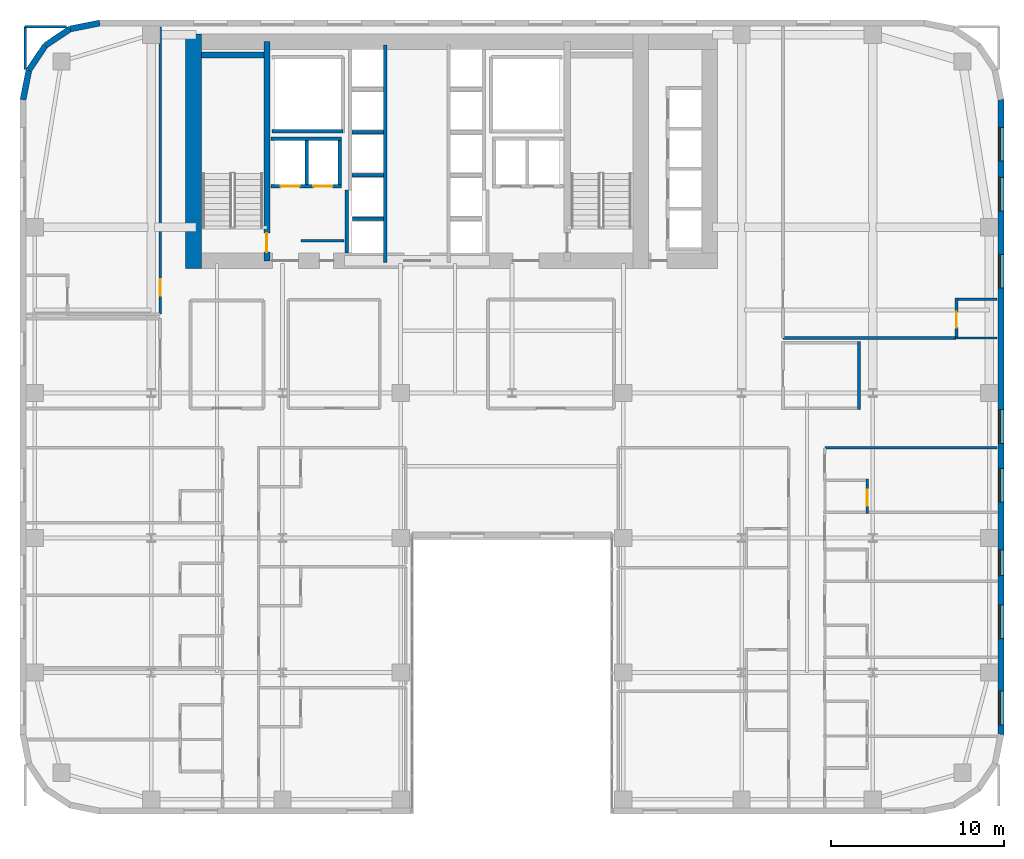
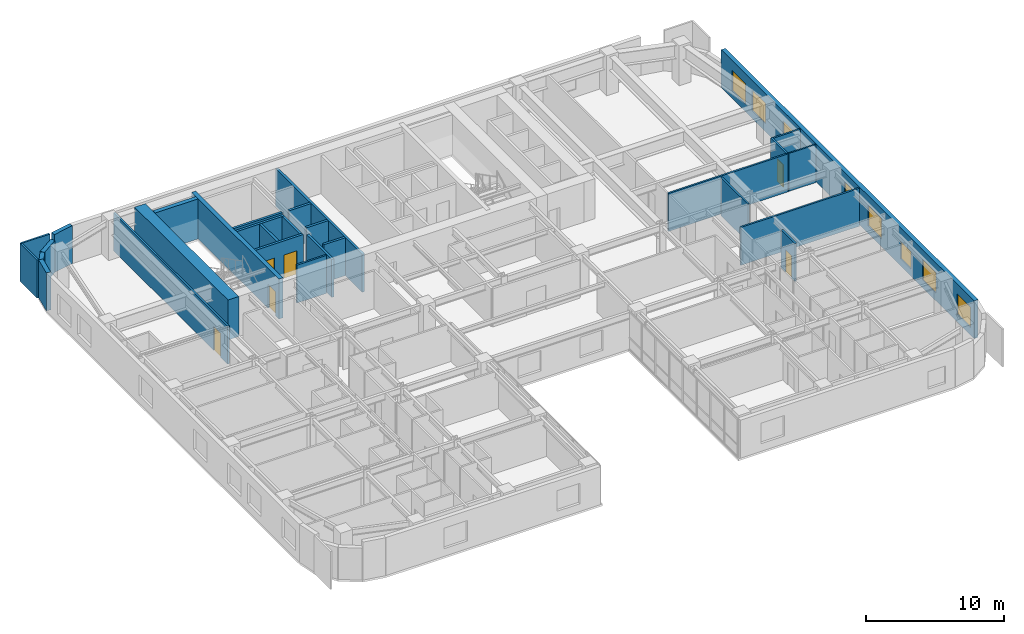
# One storey, part 14 of 17: 29 walls, 8 windows, 6 doors, 14 openings.
"""IFC4 building model written with IfcOpenShell, lengths in metres."""

from ifc_helpers import new_model, si_unit, direction, frame, frame_2d, origin, place, context, subcontext, project, spatial, rectangle, extrude, source, transform, mapped, material, layer, layer_set, type_object, type_shapes, element, fill, save


model = new_model("IFC4")

# Units and contexts
model_context = context("Model", 3, precision=1e-05, world=origin(), true_north=direction((0.0, 1.0)))
body_context = subcontext(model_context, "Body", "Model", "MODEL_VIEW")
ifc_project = project(units=[si_unit("LENGTHUNIT", "METRE"), si_unit("AREAUNIT", "SQUARE_METRE"), si_unit("VOLUMEUNIT", "CUBIC_METRE"), si_unit("PLANEANGLEUNIT", "RADIAN"), si_unit("MASSUNIT", "GRAM", prefix="KILO")], contexts=[model_context])

# Site, building, storey
site_placement = place(None, origin())
site = spatial("IfcSite", under=ifc_project, at=site_placement, CompositionType="ELEMENT")
building_placement = place(site_placement, origin())
building = spatial("IfcBuilding", under=site, at=building_placement, Name="Tolvann Quenvar Hotel", CompositionType="ELEMENT")
storey_placement = place(building_placement, frame((0.0, 0.0, 35.550048828125)))
storey = spatial("IfcBuildingStorey", under=building, at=storey_placement, Name="L07", CompositionType="ELEMENT", Elevation=35.550048828125)

# Wall
ifc_material_1 = material(Name="Concrete S80 (80 MPa)", Category="concrete")
ifc_layer_1 = layer(ifc_material_1, 0.89990234375)
ifc_layer_set_1 = layer_set([ifc_layer_1], Name="Concrete S80 (80 MPa)")
wall_type_1 = type_object("IfcWallType", Name="WALL_CORE_900", PredefinedType="SHEAR", material=ifc_layer_set_1)
wall_1_placement = place(storey_placement, frame((10.050048828125, 31.60009765625, 0.0), z_axis=(0.0, 0.0, 1.0), x_axis=(0.0, 1.0, 0.0)))
element("IfcWall", 1, at=wall_1_placement, inside=storey, type_object=wall_type_1, Name="Rear Core W Shear Wall (L07)", PredefinedType="SHEAR", context=body_context, shape_type="SweptSolid", body=[
    extrude(rectangle(XDim=13.599853515625, YDim=0.89990234375, at=frame_2d((6.7998046875, 0.0))), origin(), (0.0, 0.0, 1.0), 3.550048828125),
])

# Wall, opening, door
ifc_material_2 = material(Name="Concrete S65 (65 MPa)", Category="concrete")
ifc_layer_2 = layer(ifc_material_2, 0.35009765625)
ifc_layer_set_2 = layer_set([ifc_layer_2], Name="Concrete S65 (65 MPa)")
wall_type_2 = type_object("IfcWallType", Name="WALL_CORE_INT_350", PredefinedType="SHEAR", material=ifc_layer_set_2)
wall_2_placement = place(storey_placement, frame((14.300048828125, 32.050048828125, 0.0), z_axis=(0.0, 0.0, 1.0), x_axis=(0.0, 1.0, 0.0)))
wall_2 = element("IfcWall", 2, at=wall_2_placement, inside=storey, type_object=wall_type_2, Name="Core Internal Web Shear Wall WEB-W (L07)", PredefinedType="SHEAR", context=body_context, shape_type="SweptSolid", body=[
    extrude(rectangle(XDim=12.699951171875, YDim=0.35009765625, at=frame_2d((6.35009765625, 0.0))), origin(), (0.0, 0.0, 1.0), 3.550048828125),
])
opening_1_placement = place(wall_2_placement, frame((0.5, 0.0, 0.0)))
opening_1 = element("IfcOpeningElement", 3, at=opening_1_placement, cuts=wall_2, Name="Opening FD-120", PredefinedType="OPENING", context=body_context, shape_type="SweptSolid", body=[
    extrude(rectangle(XDim=1.10009765625, YDim=2.1201171875, at=frame_2d((0.550048828125, 1.06005859375))), frame((0.0, 0.18505859375, 0.0), z_axis=(0.0, -1.0, 0.0), x_axis=(1.0, 0.0, 0.0)), (0.0, 0.0, 1.0), 0.3701171875),
])
ifc_material_3 = material(Name="Pressed galvanised steel fire-rated door set", Category="steel")
door_type_1 = type_object("IfcDoorType", Name="DOOR_FIRE_STAIR_1100", OperationType="NOTDEFINED", PredefinedType="DOOR", material=ifc_material_3)
shared_shape_1 = source(origin(), body_context, "Body", "SweptSolid", [
    extrude(rectangle(XDim=1.10009765625, YDim=2.1201171875, at=frame_2d((0.550048828125, 1.06005859375))), frame((0.0, 0.02490234375, 0.0), z_axis=(0.0, -1.0, 0.0), x_axis=(1.0, 0.0, 0.0)), (0.0, 0.0, 1.0), 0.050048828125),
])
type_shapes(door_type_1, [shared_shape_1])
door_1_placement = place(opening_1_placement, origin())
door_1 = element("IfcDoor", 4, at=door_1_placement, inside=storey, type_object=door_type_1, Name="Exit Stair ST-C1 Fire Door (L07)", OperationType="SINGLE_SWING_LEFT", OverallHeight=2.1201171875, OverallWidth=1.10009765625, PredefinedType="DOOR", context=body_context, shape_type="MappedRepresentation", body=[
    mapped(shared_shape_1, transform((0.0, 0.0, 0.0), x_axis=(1.0, 0.0, 0.0), y_axis=(0.0, 1.0, 0.0), z_axis=(0.0, 0.0, 1.0), scale=1.0)),
])
fill(opening_1, door_1)

# Wall
wall_3_placement = place(storey_placement, frame((10.52001953125, 43.97509765625, 0.0), z_axis=(0.0, 0.0, 1.0), x_axis=(1.0, 0.0, 0.0)))
element("IfcWall", 5, at=wall_3_placement, inside=storey, type_object=wall_type_2, Name="Core Stair North Closing Shear Wall STC1-N (L07)", PredefinedType="SHEAR", context=body_context, shape_type="SweptSolid", body=[
    extrude(rectangle(XDim=3.60009765625, YDim=0.35009765625, at=frame_2d((1.800048828125, 0.0))), origin(), (0.0, 0.0, 1.0), 3.550048828125),
])

# Wall, openings, windows
ifc_material_4 = material(Name="Kiln-fired red and buff architectural clay brickwork and terracotta masonry", Category="masonry")
ifc_layer_3 = layer(ifc_material_4, 0.35009765625)
ifc_layer_set_3 = layer_set([ifc_layer_3], Name="Kiln-fired red and buff architectural clay brickwork and terracotta masonry")
wall_type_3 = type_object("IfcWallType", Name="WALL_EXT_BRICK_350", PredefinedType="SOLIDWALL", material=ifc_layer_set_3)
wall_4_placement = place(storey_placement, frame((56.824951171875, 4.6171875, 0.0), z_axis=(0.0, 0.0, 1.0), x_axis=(0.0, 1.0, 0.0)))
wall_4 = element("IfcWall", 6, at=wall_4_placement, inside=storey, type_object=wall_type_3, Name="Exterior Chicago Brick Wall L07-E13", PredefinedType="SOLIDWALL", context=body_context, shape_type="SweptSolid", body=[
    extrude(rectangle(XDim=36.765625, YDim=0.35009765625, at=frame_2d((18.3828125, 0.0))), origin(), (0.0, 0.0, 1.0), 3.369873046875),
])
opening_2_placement = place(wall_4_placement, frame((0.551025390625, 0.0, 0.679931640625)))
opening_2 = element("IfcOpeningElement", 7, at=opening_2_placement, cuts=wall_4, Name="Opening W-10", PredefinedType="OPENING", context=body_context, shape_type="SweptSolid", body=[
    extrude(rectangle(XDim=1.949951171875, YDim=1.820068359375, at=frame_2d((0.97509765625, 0.91015625))), frame((0.0, 0.18505859375, 0.0), z_axis=(0.0, -1.0, 0.0), x_axis=(1.0, 0.0, 0.0)), (0.0, 0.0, 1.0), 0.3701171875),
])
opening_3_placement = place(wall_4_placement, frame((5.552978515625, 0.0, 0.679931640625)))
opening_3 = element("IfcOpeningElement", 8, at=opening_3_placement, cuts=wall_4, Name="Opening W-10", PredefinedType="OPENING", context=body_context, shape_type="SweptSolid", body=[
    extrude(rectangle(XDim=1.949951171875, YDim=1.820068359375, at=frame_2d((0.97509765625, 0.91015625))), frame((0.0, 0.18505859375, 0.0), z_axis=(0.0, -1.0, 0.0), x_axis=(1.0, 0.0, 0.0)), (0.0, 0.0, 1.0), 0.3701171875),
])
opening_4_placement = place(wall_4_placement, frame((13.4560546875, 0.0, 0.679931640625)))
opening_4 = element("IfcOpeningElement", 9, at=opening_4_placement, cuts=wall_4, Name="Opening W-10", PredefinedType="OPENING", context=body_context, shape_type="SweptSolid", body=[
    extrude(rectangle(XDim=1.949951171875, YDim=1.820068359375, at=frame_2d((0.97509765625, 0.91015625))), frame((0.0, 0.18505859375, 0.0), z_axis=(0.0, -1.0, 0.0), x_axis=(1.0, 0.0, 0.0)), (0.0, 0.0, 1.0), 0.3701171875),
])
opening_5_placement = place(wall_4_placement, frame((16.85791015625, 0.0, 0.679931640625)))
opening_5 = element("IfcOpeningElement", 10, at=opening_5_placement, cuts=wall_4, Name="Opening W-10", PredefinedType="OPENING", context=body_context, shape_type="SweptSolid", body=[
    extrude(rectangle(XDim=1.949951171875, YDim=1.820068359375, at=frame_2d((0.97509765625, 0.91015625))), frame((0.0, 0.18505859375, 0.0), z_axis=(0.0, -1.0, 0.0), x_axis=(1.0, 0.0, 0.0)), (0.0, 0.0, 1.0), 0.3701171875),
])
opening_6_placement = place(wall_4_placement, frame((25.861083984375, 0.0, 0.679931640625)))
opening_6 = element("IfcOpeningElement", 11, at=opening_6_placement, cuts=wall_4, Name="Opening W-10", PredefinedType="OPENING", context=body_context, shape_type="SweptSolid", body=[
    extrude(rectangle(XDim=1.949951171875, YDim=1.820068359375, at=frame_2d((0.97509765625, 0.91015625))), frame((0.0, 0.18505859375, 0.0), z_axis=(0.0, -1.0, 0.0), x_axis=(1.0, 0.0, 0.0)), (0.0, 0.0, 1.0), 0.3701171875),
])
opening_7_placement = place(wall_4_placement, frame((30.31298828125, 0.0, 0.679931640625)))
opening_7 = element("IfcOpeningElement", 12, at=opening_7_placement, cuts=wall_4, Name="Opening W-10", PredefinedType="OPENING", context=body_context, shape_type="SweptSolid", body=[
    extrude(rectangle(XDim=1.949951171875, YDim=1.820068359375, at=frame_2d((0.97509765625, 0.91015625))), frame((0.0, 0.18505859375, 0.0), z_axis=(0.0, -1.0, 0.0), x_axis=(1.0, 0.0, 0.0)), (0.0, 0.0, 1.0), 0.3701171875),
])
opening_8_placement = place(wall_4_placement, frame((33.215087890625, 0.0, 0.679931640625)))
opening_8 = element("IfcOpeningElement", 13, at=opening_8_placement, cuts=wall_4, Name="Opening W-10", PredefinedType="OPENING", context=body_context, shape_type="SweptSolid", body=[
    extrude(rectangle(XDim=1.949951171875, YDim=1.820068359375, at=frame_2d((0.97509765625, 0.91015625))), frame((0.0, 0.18505859375, 0.0), z_axis=(0.0, -1.0, 0.0), x_axis=(1.0, 0.0, 0.0)), (0.0, 0.0, 1.0), 0.3701171875),
])
opening_9_placement = place(wall_4_placement, frame((9.193115234375, 0.0, 0.6201171875)))
opening_9 = element("IfcOpeningElement", 14, at=opening_9_placement, cuts=wall_4, Name="Opening W-08", PredefinedType="OPENING", context=body_context, shape_type="SweptSolid", body=[
    extrude(rectangle(XDim=1.5, YDim=1.550048828125, at=frame_2d((0.75, 0.77490234375))), frame((0.0, 0.18505859375, 0.0), z_axis=(0.0, -1.0, 0.0), x_axis=(1.0, 0.0, 0.0)), (0.0, 0.0, 1.0), 0.3701171875),
])
ifc_material_5 = material(Name="Thermally broken bronze-anodised aluminium frame with double low-E glazing", Category="aluminium")
window_type_1 = type_object("IfcWindowType", Name="WIN_COR_1500x2050", PartitioningType="SINGLE_PANEL", PredefinedType="WINDOW", material=ifc_material_5)
shared_shape_2 = source(origin(), body_context, "Body", "SweptSolid", [
    extrude(rectangle(XDim=1.5, YDim=1.550048828125, at=frame_2d((0.75, 0.77490234375))), frame((0.0, 0.090087890625, 0.0), z_axis=(0.0, -1.0, 0.0), x_axis=(1.0, 0.0, 0.0)), (0.0, 0.0, 1.0), 0.06005859375),
])
type_shapes(window_type_1, [shared_shape_2])
window_1_placement = place(opening_9_placement, origin())
window_1 = element("IfcWindow", 15, at=window_1_placement, inside=storey, type_object=window_type_1, Name="Chicago Window W-08 (EW-L07-E13-WD08)", OverallHeight=1.550048828125, OverallWidth=1.5, PartitioningType="SINGLE_PANEL", PredefinedType="WINDOW", context=body_context, shape_type="MappedRepresentation", body=[
    mapped(shared_shape_2, transform((0.0, 0.0, 0.0), x_axis=(1.0, 0.0, 0.0), y_axis=(0.0, 1.0, 0.0), z_axis=(0.0, 0.0, 1.0), scale=1.0)),
])
fill(opening_9, window_1)
window_type_2 = type_object("IfcWindowType", Name="WIN_CLB_1950x1850", PartitioningType="DOUBLE_PANEL_VERTICAL", PredefinedType="WINDOW", material=ifc_material_5)
shared_shape_3 = source(origin(), body_context, "Body", "SweptSolid", [
    extrude(rectangle(XDim=1.949951171875, YDim=1.820068359375, at=frame_2d((0.97509765625, 0.91015625))), frame((0.0, 0.090087890625, 0.0), z_axis=(0.0, -1.0, 0.0), x_axis=(1.0, 0.0, 0.0)), (0.0, 0.0, 1.0), 0.06005859375),
])
type_shapes(window_type_2, [shared_shape_3])
window_2_placement = place(opening_2_placement, origin())
window_2 = element("IfcWindow", 16, at=window_2_placement, inside=storey, type_object=window_type_2, Name="Chicago Window W-10 (EW-L07-E13-W01)", OverallHeight=1.820068359375, OverallWidth=1.949951171875, PartitioningType="DOUBLE_PANEL_VERTICAL", PredefinedType="WINDOW", context=body_context, shape_type="MappedRepresentation", body=[
    mapped(shared_shape_3, transform((0.0, 0.0, 0.0), x_axis=(1.0, 0.0, 0.0), y_axis=(0.0, 1.0, 0.0), z_axis=(0.0, 0.0, 1.0), scale=1.0)),
])
fill(opening_2, window_2)
window_3_placement = place(opening_3_placement, origin())
window_3 = element("IfcWindow", 17, at=window_3_placement, inside=storey, type_object=window_type_2, Name="Chicago Window W-10 (EW-L07-E13-W02)", OverallHeight=1.820068359375, OverallWidth=1.949951171875, PartitioningType="DOUBLE_PANEL_VERTICAL", PredefinedType="WINDOW", context=body_context, shape_type="MappedRepresentation", body=[
    mapped(shared_shape_3, transform((0.0, 0.0, 0.0), x_axis=(1.0, 0.0, 0.0), y_axis=(0.0, 1.0, 0.0), z_axis=(0.0, 0.0, 1.0), scale=1.0)),
])
fill(opening_3, window_3)
window_4_placement = place(opening_4_placement, origin())
window_4 = element("IfcWindow", 18, at=window_4_placement, inside=storey, type_object=window_type_2, Name="Chicago Window W-10 (EW-L07-E13-W03)", OverallHeight=1.820068359375, OverallWidth=1.949951171875, PartitioningType="DOUBLE_PANEL_VERTICAL", PredefinedType="WINDOW", context=body_context, shape_type="MappedRepresentation", body=[
    mapped(shared_shape_3, transform((0.0, 0.0, 0.0), x_axis=(1.0, 0.0, 0.0), y_axis=(0.0, 1.0, 0.0), z_axis=(0.0, 0.0, 1.0), scale=1.0)),
])
fill(opening_4, window_4)
window_5_placement = place(opening_5_placement, origin())
window_5 = element("IfcWindow", 19, at=window_5_placement, inside=storey, type_object=window_type_2, Name="Chicago Window W-10 (EW-L07-E13-W04)", OverallHeight=1.820068359375, OverallWidth=1.949951171875, PartitioningType="DOUBLE_PANEL_VERTICAL", PredefinedType="WINDOW", context=body_context, shape_type="MappedRepresentation", body=[
    mapped(shared_shape_3, transform((0.0, 0.0, 0.0), x_axis=(1.0, 0.0, 0.0), y_axis=(0.0, 1.0, 0.0), z_axis=(0.0, 0.0, 1.0), scale=1.0)),
])
fill(opening_5, window_5)
window_6_placement = place(opening_6_placement, origin())
window_6 = element("IfcWindow", 20, at=window_6_placement, inside=storey, type_object=window_type_2, Name="Chicago Window W-10 (EW-L07-E13-W05)", OverallHeight=1.820068359375, OverallWidth=1.949951171875, PartitioningType="DOUBLE_PANEL_VERTICAL", PredefinedType="WINDOW", context=body_context, shape_type="MappedRepresentation", body=[
    mapped(shared_shape_3, transform((0.0, 0.0, 0.0), x_axis=(1.0, 0.0, 0.0), y_axis=(0.0, 1.0, 0.0), z_axis=(0.0, 0.0, 1.0), scale=1.0)),
])
fill(opening_6, window_6)
window_7_placement = place(opening_7_placement, origin())
window_7 = element("IfcWindow", 21, at=window_7_placement, inside=storey, type_object=window_type_2, Name="Chicago Window W-10 (EW-L07-E13-W06)", OverallHeight=1.820068359375, OverallWidth=1.949951171875, PartitioningType="DOUBLE_PANEL_VERTICAL", PredefinedType="WINDOW", context=body_context, shape_type="MappedRepresentation", body=[
    mapped(shared_shape_3, transform((0.0, 0.0, 0.0), x_axis=(1.0, 0.0, 0.0), y_axis=(0.0, 1.0, 0.0), z_axis=(0.0, 0.0, 1.0), scale=1.0)),
])
fill(opening_7, window_7)
window_8_placement = place(opening_8_placement, origin())
window_8 = element("IfcWindow", 22, at=window_8_placement, inside=storey, type_object=window_type_2, Name="Chicago Window W-10 (EW-L07-E13-W07)", OverallHeight=1.820068359375, OverallWidth=1.949951171875, PartitioningType="DOUBLE_PANEL_VERTICAL", PredefinedType="WINDOW", context=body_context, shape_type="MappedRepresentation", body=[
    mapped(shared_shape_3, transform((0.0, 0.0, 0.0), x_axis=(1.0, 0.0, 0.0), y_axis=(0.0, 1.0, 0.0), z_axis=(0.0, 0.0, 1.0), scale=1.0)),
])
fill(opening_8, window_8)

# Walls
wall_5_placement = place(storey_placement, frame((4.6171875, 45.824951171875, 0.0), z_axis=(0.0, 0.0, 1.0), x_axis=(-0.980800971659, -0.195011420161, 0.0)))
element("IfcWall", 23, at=wall_5_placement, inside=storey, type_object=wall_type_3, Name="Exterior Chicago Brick Wall L07-E19", PredefinedType="SOLIDWALL", context=body_context, shape_type="SweptSolid", body=[
    extrude(rectangle(XDim=1.74267578125, YDim=0.35009765625, at=frame_2d((0.871337890625, 0.0))), origin(), (0.0, 0.0, 1.0), 3.369873046875),
])
for number, where, z_axis, x_axis, name in (
    (24, (2.907958984375, 45.485107421875, 0.0), (0.0, 0.0, 1.0), (-0.831483840845, -0.55554893791, 0.0), "Exterior Chicago Brick Wall L07-E20"),
    (25, (1.473388671875, 44.526611328125, 0.0), (0.0, 0.0, 1.0), (-0.55554893791, -0.831483840845, 0.0), "Exterior Chicago Brick Wall L07-E21"),
):
    element("IfcWall", number, at=place(storey_placement, frame(where, z_axis=z_axis, x_axis=x_axis)), inside=storey, type_object=wall_type_3, Name=name, PredefinedType="SOLIDWALL", context=body_context, shape_type="SweptSolid", body=[
        extrude(rectangle(XDim=1.725341796875, YDim=0.35009765625, at=frame_2d((0.86279296875, 0.0))), origin(), (0.0, 0.0, 1.0), 2.83203125),
    ])
wall_6_placement = place(storey_placement, frame((0.514892578125, 43.092041015625, 0.0), z_axis=(0.0, 0.0, 1.0), x_axis=(-0.195011420161, -0.980800971659, 0.0)))
element("IfcWall", 26, at=wall_6_placement, inside=storey, type_object=wall_type_3, Name="Exterior Chicago Brick Wall L07-E22", PredefinedType="SOLIDWALL", context=body_context, shape_type="SweptSolid", body=[
    extrude(rectangle(XDim=1.74267578125, YDim=0.35009765625, at=frame_2d((0.871337890625, 0.0))), origin(), (0.0, 0.0, 1.0), 3.369873046875),
])
ifc_material_6 = material(Name="Moisture-resistant acoustic plumbing wall assembly")
ifc_layer_4 = layer(ifc_material_6, 0.1201171875)
ifc_layer_set_4 = layer_set([ifc_layer_4], Name="Moisture-resistant acoustic plumbing wall assembly")
wall_type_4 = type_object("IfcWallType", Name="WALL_PART_BATH_120", PredefinedType="PLUMBINGWALL", material=ifc_layer_set_4)
wall_7_placement = place(storey_placement, frame((54.179931640625, 27.580078125, 0.0), z_axis=(0.0, 0.0, 1.0), x_axis=(1.0, 0.0, 0.0)))
element("IfcWall", 27, at=wall_7_placement, inside=storey, type_object=wall_type_4, Name="Non-Rated Plumbing Partition PT-SPC-L07-ENS-NE01-S", PredefinedType="PLUMBINGWALL", context=body_context, shape_type="SweptSolid", body=[
    extrude(rectangle(XDim=2.4150390625, YDim=0.1201171875, at=frame_2d((1.20751953125, 0.0))), origin(), (0.0, 0.0, 1.0), 3.369873046875),
])

# Wall, opening, door
ifc_material_7 = material(Name="Acoustic twin-stud fire-rated gypsum plasterboard partition")
ifc_layer_5 = layer(ifc_material_7, 0.14990234375)
ifc_layer_set_5 = layer_set([ifc_layer_5], Name="Acoustic twin-stud fire-rated gypsum plasterboard partition")
wall_type_5 = type_object("IfcWallType", Name="WALL_PART_SUITE_150", PredefinedType="PARTITIONING", material=ifc_layer_set_5)
wall_8_placement = place(storey_placement, frame((49.070068359375, 17.409912109375, 0.0), z_axis=(0.0, 0.0, 1.0), x_axis=(0.0, 1.0, 0.0)))
wall_8 = element("IfcWall", 28, at=wall_8_placement, inside=storey, type_object=wall_type_5, Name="Interior Partition PT-SPC-L07-ENS-EO05-ENT", PredefinedType="PARTITIONING", context=body_context, shape_type="SweptSolid", body=[
    extrude(rectangle(XDim=1.989990234375, YDim=0.14990234375, at=frame_2d((0.9951171875, 0.0))), origin(), (0.0, 0.0, 1.0), 3.369873046875),
])
opening_10_placement = place(wall_8_placement, frame((0.465087890625, 0.0, 0.0)))
opening_10 = element("IfcOpeningElement", 29, at=opening_10_placement, cuts=wall_8, Name="Opening WD-01", PredefinedType="OPENING", context=body_context, shape_type="SweptSolid", body=[
    extrude(rectangle(XDim=0.919921875, YDim=2.010009765625, at=frame_2d((0.4599609375, 1.0048828125))), frame((0.0, 0.0849609375, 0.0), z_axis=(0.0, -1.0, 0.0), x_axis=(1.0, 0.0, 0.0)), (0.0, 0.0, 1.0), 0.169921875),
])
ifc_material_8 = material(Name="Solid-core American oak acoustic fire door leaf in steel frame", Category="steel")
door_type_2 = type_object("IfcDoorType", Name="DOOR_WC_920", OperationType="NOTDEFINED", PredefinedType="DOOR", material=ifc_material_8)
shared_shape_4 = source(origin(), body_context, "Body", "SweptSolid", [
    extrude(rectangle(XDim=0.919921875, YDim=2.010009765625, at=frame_2d((0.4599609375, 1.0048828125))), frame((0.0, 0.02490234375, 0.0), z_axis=(0.0, -1.0, 0.0), x_axis=(1.0, 0.0, 0.0)), (0.0, 0.0, 1.0), 0.050048828125),
])
type_shapes(door_type_2, [shared_shape_4])
door_2_placement = place(opening_10_placement, origin())
door_2 = element("IfcDoor", 30, at=door_2_placement, inside=storey, type_object=door_type_2, Name="Interior Door DOOR-SPC-L07-ENS-EO05", OperationType="SINGLE_SWING_LEFT", OverallHeight=2.010009765625, OverallWidth=0.919921875, PredefinedType="DOOR", context=body_context, shape_type="MappedRepresentation", body=[
    mapped(shared_shape_4, transform((0.0, 0.0, 0.0), x_axis=(1.0, 0.0, 0.0), y_axis=(0.0, 1.0, 0.0), z_axis=(0.0, 0.0, 1.0), scale=1.0)),
])
fill(opening_10, door_2)

wall_9_placement = place(storey_placement, frame((54.25, 27.510009765625, 0.0), z_axis=(0.0, 0.0, 1.0), x_axis=(0.0, 1.0, 0.0)))
wall_9 = element("IfcWall", 31, at=wall_9_placement, inside=storey, type_object=wall_type_5, Name="Interior Partition PT-SPC-L07-ENS-NE01-ENT", PredefinedType="PARTITIONING", context=body_context, shape_type="SweptSolid", body=[
    extrude(rectangle(XDim=2.389892578125, YDim=0.14990234375, at=frame_2d((1.19482421875, 0.0))), origin(), (0.0, 0.0, 1.0), 3.369873046875),
])
opening_11_placement = place(wall_9_placement, frame((0.6650390625, 0.0, 0.0)))
opening_11 = element("IfcOpeningElement", 32, at=opening_11_placement, cuts=wall_9, Name="Opening WD-01", PredefinedType="OPENING", context=body_context, shape_type="SweptSolid", body=[
    extrude(rectangle(XDim=0.919921875, YDim=2.010009765625, at=frame_2d((0.4599609375, 1.0048828125))), frame((0.0, 0.0849609375, 0.0), z_axis=(0.0, -1.0, 0.0), x_axis=(1.0, 0.0, 0.0)), (0.0, 0.0, 1.0), 0.169921875),
])
door_3_placement = place(opening_11_placement, origin())
door_3 = element("IfcDoor", 33, at=door_3_placement, inside=storey, type_object=door_type_2, Name="Interior Door DOOR-SPC-L07-ENS-NE01", OperationType="SINGLE_SWING_LEFT", OverallHeight=2.010009765625, OverallWidth=0.919921875, PredefinedType="DOOR", context=body_context, shape_type="MappedRepresentation", body=[
    mapped(shared_shape_4, transform((0.0, 0.0, 0.0), x_axis=(1.0, 0.0, 0.0), y_axis=(0.0, 1.0, 0.0), z_axis=(0.0, 0.0, 1.0), scale=1.0)),
])
fill(opening_11, door_3)

# Walls
wall_10_placement = place(storey_placement, frame((54.179931640625, 29.830078125, 0.0), z_axis=(0.0, 0.0, 1.0), x_axis=(1.0, 0.0, 0.0)))
element("IfcWall", 34, at=wall_10_placement, inside=storey, type_object=wall_type_5, Name="Interior Partition PT-SPC-L07-ENS-NE01-N", PredefinedType="PARTITIONING", context=body_context, shape_type="SweptSolid", body=[
    extrude(rectangle(XDim=2.4150390625, YDim=0.14990234375, at=frame_2d((1.20751953125, 0.0))), origin(), (0.0, 0.0, 1.0), 3.369873046875),
])
wall_11_placement = place(storey_placement, frame((16.280029296875, 33.219970703125, 0.0), z_axis=(0.0, 0.0, 1.0), x_axis=(1.0, 0.0, 0.0)))
element("IfcWall", 35, at=wall_11_placement, inside=storey, type_object=wall_type_5, Name="Interior Partition PT-SPC-L07-CSW-1-N", PredefinedType="PARTITIONING", context=body_context, shape_type="SweptSolid", body=[
    extrude(rectangle(XDim=2.48486328125, YDim=0.14990234375, at=frame_2d((1.242431640625, 0.0))), origin(), (0.0, 0.0, 1.0), 3.369873046875),
])
wall_12_placement = place(storey_placement, frame((46.6201171875, 21.219970703125, 0.0), z_axis=(0.0, 0.0, 1.0), x_axis=(1.0, 0.0, 0.0)))
element("IfcWall", 36, at=wall_12_placement, inside=storey, type_object=wall_type_5, Name="Interior Partition PT-SPC-L07-RM-EO05-E5", PredefinedType="PARTITIONING", context=body_context, shape_type="SweptSolid", body=[
    extrude(rectangle(XDim=9.974853515625, YDim=0.14990234375, at=frame_2d((4.9873046875, 0.0))), origin(), (0.0, 0.0, 1.0), 3.369873046875),
])

# Wall, opening, door
wall_13_placement = place(storey_placement, frame((8.1201171875, 28.9599609375, 0.0), z_axis=(0.0, 0.0, 1.0), x_axis=(0.0, 1.0, 0.0)))
wall_13 = element("IfcWall", 37, at=wall_13_placement, inside=storey, type_object=wall_type_5, Name="Interior Partition PT-SPC-L07-RM-NW01-ENT", PredefinedType="PARTITIONING", context=body_context, shape_type="SweptSolid", body=[
    extrude(rectangle(XDim=16.635009765625, YDim=0.14990234375, at=frame_2d((8.3173828125, 0.0))), origin(), (0.0, 0.0, 1.0), 3.369873046875),
])
opening_12_placement = place(wall_13_placement, frame((1.054931640625, 0.0, 0.0)))
opening_12 = element("IfcOpeningElement", 38, at=opening_12_placement, cuts=wall_13, Name="Opening SD-01", PredefinedType="OPENING", context=body_context, shape_type="SweptSolid", body=[
    extrude(rectangle(XDim=0.97998046875, YDim=2.1201171875, at=frame_2d((0.489990234375, 1.06005859375))), frame((0.0, 0.0849609375, 0.0), z_axis=(0.0, -1.0, 0.0), x_axis=(1.0, 0.0, 0.0)), (0.0, 0.0, 1.0), 0.169921875),
])
door_type_3 = type_object("IfcDoorType", Name="DOOR_SUITE_980", OperationType="NOTDEFINED", PredefinedType="DOOR", material=ifc_material_8)
shared_shape_5 = source(origin(), body_context, "Body", "SweptSolid", [
    extrude(rectangle(XDim=0.97998046875, YDim=2.1201171875, at=frame_2d((0.489990234375, 1.06005859375))), frame((0.0, 0.02490234375, 0.0), z_axis=(0.0, -1.0, 0.0), x_axis=(1.0, 0.0, 0.0)), (0.0, 0.0, 1.0), 0.050048828125),
])
type_shapes(door_type_3, [shared_shape_5])
door_4_placement = place(opening_12_placement, origin())
door_4 = element("IfcDoor", 39, at=door_4_placement, inside=storey, type_object=door_type_3, Name="Interior Door DOOR-SPC-L07-RM-NW01", OperationType="SINGLE_SWING_RIGHT", OverallHeight=2.1201171875, OverallWidth=0.97998046875, PredefinedType="DOOR", context=body_context, shape_type="MappedRepresentation", body=[
    mapped(shared_shape_5, transform((0.0, 0.0, 0.0), x_axis=(1.0, 0.0, 0.0), y_axis=(0.0, 1.0, 0.0), z_axis=(0.0, 0.0, 1.0), scale=1.0)),
])
fill(opening_12, door_4)

# Walls
wall_14_placement = place(storey_placement, frame((0.300048828125, 45.6201171875, 0.0), z_axis=(0.0, 0.0, 1.0), x_axis=(1.0, 0.0, 0.0)))
element("IfcWall", 40, at=wall_14_placement, inside=storey, type_object=wall_type_5, Name="Interior Partition PT-SPC-L07-RM-NW01-E5", PredefinedType="PARTITIONING", context=body_context, shape_type="SweptSolid", body=[
    extrude(rectangle(XDim=2.39599609375, YDim=0.14990234375, at=frame_2d((1.197998046875, 0.0))), origin(), (0.0, 0.0, 1.0), 3.369873046875),
])
wall_15_placement = place(storey_placement, frame((0.300048828125, 43.135009765625, 0.0), z_axis=(0.0, 0.0, 1.0), x_axis=(0.0, 1.0, 0.0)))
element("IfcWall", 41, at=wall_15_placement, inside=storey, type_object=wall_type_5, Name="Interior Partition PT-SPC-L07-RM-NW01-E6", PredefinedType="PARTITIONING", context=body_context, shape_type="SweptSolid", body=[
    extrude(rectangle(XDim=2.485107421875, YDim=0.14990234375, at=frame_2d((1.24267578125, 0.0))), origin(), (0.0, 0.0, 1.0), 3.369873046875),
])
wall_16_placement = place(storey_placement, frame((48.60009765625, 23.429931640625, 0.0), z_axis=(0.0, 0.0, 1.0), x_axis=(0.0, 1.0, 0.0)))
element("IfcWall", 42, at=wall_16_placement, inside=storey, type_object=wall_type_5, Name="Interior Partition PT-SPC-L07-WCA-E", PredefinedType="PARTITIONING", context=body_context, shape_type="SweptSolid", body=[
    extrude(rectangle(XDim=3.940185546875, YDim=0.14990234375, at=frame_2d((1.97021484375, 0.0))), origin(), (0.0, 0.0, 1.0), 3.369873046875),
])
wall_17_placement = place(storey_placement, frame((44.199951171875, 27.580078125, 0.0), z_axis=(0.0, 0.0, 1.0), x_axis=(1.0, 0.0, 0.0)))
element("IfcWall", 43, at=wall_17_placement, inside=storey, type_object=wall_type_5, Name="Interior Partition PT-SPC-L07-RM-NE01-E1", PredefinedType="PARTITIONING", context=body_context, shape_type="SweptSolid", body=[
    extrude(rectangle(XDim=10.030029296875, YDim=0.14990234375, at=frame_2d((5.01513671875, 0.0))), origin(), (0.0, 0.0, 1.0), 3.369873046875),
])
ifc_material_9 = material(Name="Concrete N40 (40 MPa)", Category="concrete")
ifc_layer_6 = layer(ifc_material_9, 0.199951171875)
ifc_layer_set_6 = layer_set([ifc_layer_6], Name="Concrete N40 (40 MPa)")
wall_type_6 = type_object("IfcWallType", Name="WALL_SHAFT_200", PredefinedType="SOLIDWALL", material=ifc_layer_set_6)
wall_18_placement = place(storey_placement, frame((14.60009765625, 39.550048828125, 0.0), z_axis=(0.0, 0.0, 1.0), x_axis=(1.0, 0.0, 0.0)))
element("IfcWall", 44, at=wall_18_placement, inside=storey, type_object=wall_type_6, Name="Service Riser W Shaft Wall S (L07)", PredefinedType="SOLIDWALL", context=body_context, shape_type="SweptSolid", body=[
    extrude(rectangle(XDim=4.099853515625, YDim=0.199951171875, at=frame_2d((2.0498046875, 0.0))), origin(), (0.0, 0.0, 1.0), 3.369873046875),
])
wall_19_placement = place(storey_placement, frame((18.919921875, 32.50390625, 0.0), z_axis=(0.0, 0.0, 1.0), x_axis=(0.0, 1.0, 0.0)))
element("IfcWall", 45, at=wall_19_placement, inside=storey, type_object=wall_type_6, Name="Firefighting Lobby W Inner Fire Wall (L07)", PredefinedType="SOLIDWALL", context=body_context, shape_type="SweptSolid", body=[
    extrude(rectangle(XDim=3.64599609375, YDim=0.199951171875, at=frame_2d((1.822998046875, 0.0))), origin(), (0.0, 0.0, 1.0), 3.369873046875),
])
wall_20_placement = place(storey_placement, frame((21.169921875, 31.9599609375, 0.0), z_axis=(0.0, 0.0, 1.0), x_axis=(0.0, 1.0, 0.0)))
element("IfcWall", 46, at=wall_20_placement, inside=storey, type_object=wall_type_6, Name="Lift Bank E21.1C1 Hoistway Front Wall (L07)", PredefinedType="SOLIDWALL", context=body_context, shape_type="SweptSolid", body=[
    extrude(rectangle(XDim=12.580078125, YDim=0.199951171875, at=frame_2d((6.2900390625, 0.0))), origin(), (0.0, 0.0, 1.0), 3.369873046875),
])
wall_21_placement = place(storey_placement, frame((19.27001953125, 34.5, 0.0), z_axis=(0.0, 0.0, 1.0), x_axis=(1.0, 0.0, 0.0)))
element("IfcWall", 47, at=wall_21_placement, inside=storey, type_object=wall_type_6, Name="Lift Bank E21.1C1 Divider Wall 1 (L07)", PredefinedType="SOLIDWALL", context=body_context, shape_type="SweptSolid", body=[
    extrude(rectangle(XDim=1.800048828125, YDim=0.199951171875, at=frame_2d((0.89990234375, 0.0))), origin(), (0.0, 0.0, 1.0), 3.369873046875),
])
for number, where, z_axis, x_axis, name in (
    (48, (19.22998046875, 37.0, 0.0), (0.0, 0.0, 1.0), (1.0, 0.0, 0.0), "Lift Bank E21.1C1 Divider Wall 2 (L07)"),
    (49, (19.22998046875, 39.5, 0.0), (0.0, 0.0, 1.0), (1.0, 0.0, 0.0), "Lift Bank E21.1C1 Divider Wall 3 (L07)"),
):
    element("IfcWall", number, at=place(storey_placement, frame(where, z_axis=z_axis, x_axis=x_axis)), inside=storey, type_object=wall_type_6, Name=name, PredefinedType="SOLIDWALL", context=body_context, shape_type="SweptSolid", body=[
        extrude(rectangle(XDim=1.840087890625, YDim=0.199951171875, at=frame_2d((0.919921875, 0.0))), origin(), (0.0, 0.0, 1.0), 3.369873046875),
    ])

# Wall, openings, doors
wall_22_placement = place(storey_placement, frame((14.550048828125, 36.3798828125, 0.0), z_axis=(0.0, 0.0, 1.0), x_axis=(1.0, 0.0, 0.0)))
wall_22 = element("IfcWall", 50, at=wall_22_placement, inside=storey, type_object=wall_type_6, Name="Lift Bank SWC1 Hoistway Front Wall (L07)", PredefinedType="SOLIDWALL", context=body_context, shape_type="SweptSolid", body=[
    extrude(rectangle(XDim=4.074951171875, YDim=0.199951171875, at=frame_2d((2.03759765625, 0.0))), origin(), (0.0, 0.0, 1.0), 3.369873046875),
])
opening_13_placement = place(wall_22_placement, frame((0.550048828125, 0.0, 0.0)))
opening_13 = element("IfcOpeningElement", 51, at=opening_13_placement, cuts=wall_22, Name="Opening LD-01", PredefinedType="OPENING", context=body_context, shape_type="SweptSolid", body=[
    extrude(rectangle(XDim=1.10009765625, YDim=2.1201171875, at=frame_2d((0.550048828125, 1.06005859375))), frame((0.0, 0.10986328125, 0.0), z_axis=(0.0, -1.0, 0.0), x_axis=(1.0, 0.0, 0.0)), (0.0, 0.0, 1.0), 0.219970703125),
])
opening_14_placement = place(wall_22_placement, frame((2.449951171875, 0.0, 0.0)))
opening_14 = element("IfcOpeningElement", 52, at=opening_14_placement, cuts=wall_22, Name="Opening LD-01", PredefinedType="OPENING", context=body_context, shape_type="SweptSolid", body=[
    extrude(rectangle(XDim=1.10009765625, YDim=2.1201171875, at=frame_2d((0.550048828125, 1.06005859375))), frame((0.0, 0.10986328125, 0.0), z_axis=(0.0, -1.0, 0.0), x_axis=(1.0, 0.0, 0.0)), (0.0, 0.0, 1.0), 0.219970703125),
])
ifc_material_10 = material(Name="Brushed 316 stainless steel automatic sliding lift landing door", Category="steel")
door_type_4 = type_object("IfcDoorType", Name="DOOR_LIFT_SLIDE_1100", OperationType="NOTDEFINED", PredefinedType="DOOR", material=ifc_material_10)
shared_shape_6 = source(origin(), body_context, "Body", "SweptSolid", [
    extrude(rectangle(XDim=1.10009765625, YDim=2.1201171875, at=frame_2d((0.550048828125, 1.06005859375))), frame((0.0, 0.02490234375, 0.0), z_axis=(0.0, -1.0, 0.0), x_axis=(1.0, 0.0, 0.0)), (0.0, 0.0, 1.0), 0.050048828125),
])
type_shapes(door_type_4, [shared_shape_6])
door_5_placement = place(opening_13_placement, origin())
door_5 = element("IfcDoor", 53, at=door_5_placement, inside=storey, type_object=door_type_4, Name="Lift FF-1 Sliding Landing Door (L07)", OperationType="SLIDING_TO_LEFT", OverallHeight=2.1201171875, OverallWidth=1.10009765625, PredefinedType="DOOR", context=body_context, shape_type="MappedRepresentation", body=[
    mapped(shared_shape_6, transform((0.0, 0.0, 0.0), x_axis=(1.0, 0.0, 0.0), y_axis=(0.0, 1.0, 0.0), z_axis=(0.0, 0.0, 1.0), scale=1.0)),
])
fill(opening_13, door_5)
door_6_placement = place(opening_14_placement, origin())
door_6 = element("IfcDoor", 54, at=door_6_placement, inside=storey, type_object=door_type_4, Name="Lift SV-1 Sliding Landing Door (L07)", OperationType="SLIDING_TO_RIGHT", OverallHeight=2.1201171875, OverallWidth=1.10009765625, PredefinedType="DOOR", context=body_context, shape_type="MappedRepresentation", body=[
    mapped(shared_shape_6, transform((0.0, 0.0, 0.0), x_axis=(1.0, 0.0, 0.0), y_axis=(0.0, 1.0, 0.0), z_axis=(0.0, 0.0, 1.0), scale=1.0)),
])
fill(opening_14, door_6)

# Walls
wall_23_placement = place(storey_placement, frame((14.550048828125, 39.1201171875, 0.0), z_axis=(0.0, 0.0, 1.0), x_axis=(1.0, 0.0, 0.0)))
element("IfcWall", 55, at=wall_23_placement, inside=storey, type_object=wall_type_6, Name="Lift Bank SWC1 Hoistway Rear Wall (L07)", PredefinedType="SOLIDWALL", context=body_context, shape_type="SweptSolid", body=[
    extrude(rectangle(XDim=4.074951171875, YDim=0.199951171875, at=frame_2d((2.03759765625, 0.0))), origin(), (0.0, 0.0, 1.0), 3.369873046875),
])
for number, where, z_axis, x_axis, name in (
    (56, (18.52490234375, 36.47998046875, 0.0), (0.0, 0.0, 1.0), (0.0, 1.0, 0.0), "Lift Bank SWC1 Hoistway Cheek Wall 2 (L07)"),
    (57, (16.612548828125, 36.47998046875, 0.0), (0.0, 0.0, 1.0), (0.0, 1.0, 0.0), "Lift Bank SWC1 Divider Wall 1 (L07)"),
):
    element("IfcWall", number, at=place(storey_placement, frame(where, z_axis=z_axis, x_axis=x_axis)), inside=storey, type_object=wall_type_6, Name=name, PredefinedType="SOLIDWALL", context=body_context, shape_type="SweptSolid", body=[
        extrude(rectangle(XDim=2.5400390625, YDim=0.199951171875, at=frame_2d((1.27001953125, 0.0))), origin(), (0.0, 0.0, 1.0), 3.369873046875),
    ])

save(model, "model.ifc")
